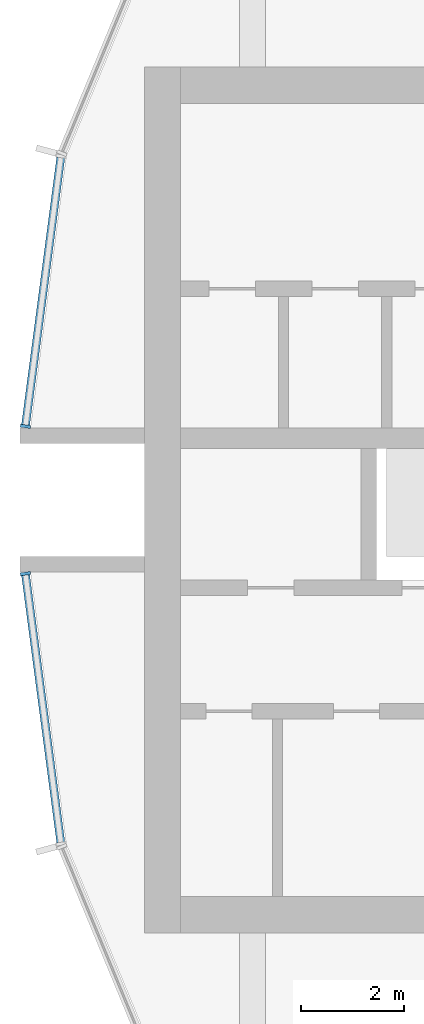
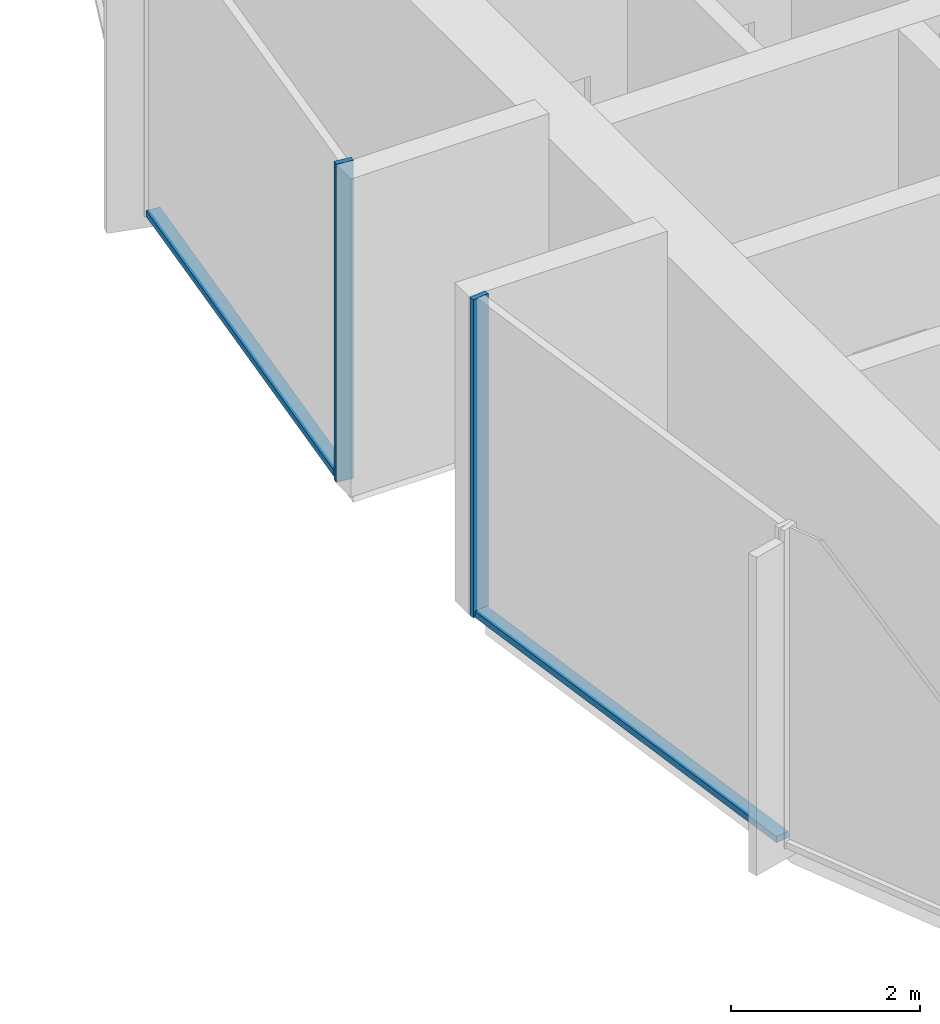
# One storey, part 3 of 15: 4 members, 2 elements without a shape of their own.
"""IFC4 building model written with IfcOpenShell, lengths in metres."""

from ifc_helpers import new_model, si_unit, direction, frame, origin, origin_2d, place, context, subcontext, project, spatial, rectangle, extrude, material, layer, layer_set, material_profile, profile_set, type_object, element, aggregate, save


model = new_model("IFC4")

# Units and contexts
model_context = context("Model", 3, precision=1e-05, world=origin(), true_north=direction((0.0, 1.0)))
body_context = subcontext(model_context, "Body", "Model", "MODEL_VIEW")
ifc_project = project(units=[si_unit("LENGTHUNIT", "METRE"), si_unit("AREAUNIT", "SQUARE_METRE"), si_unit("VOLUMEUNIT", "CUBIC_METRE"), si_unit("PLANEANGLEUNIT", "RADIAN"), si_unit("MASSUNIT", "GRAM", prefix="KILO")], contexts=[model_context])

# Site, building, storey
site_placement = place(None, origin())
site = spatial("IfcSite", under=ifc_project, at=site_placement, CompositionType="ELEMENT")
building_placement = place(site_placement, origin())
building = spatial("IfcBuilding", under=site, at=building_placement, Name="Torre Brocal", CompositionType="ELEMENT")
storey_placement = place(building_placement, frame((0.0, 0.0, 182.300048828125)))
storey = spatial("IfcBuildingStorey", under=building, at=storey_placement, Name="L42", CompositionType="ELEMENT", Elevation=182.300048828125)

# Curtain wall, member
ifc_material_1 = material(Name="Aluminium and glass", Category="aluminium")
ifc_layer = layer(ifc_material_1, 0.199951171875)
ifc_layer_set = layer_set([ifc_layer], Name="Aluminium and glass")
curtain_wall_type = type_object("IfcCurtainWallType", Name="CW-1B CURTAIN WALL 4100 HIGH", PredefinedType="NOTDEFINED", material=ifc_layer_set)
curtain_wall_1_placement = place(storey_placement, origin())
curtain_wall_1 = element("IfcCurtainWall", 1, at=curtain_wall_1_placement, inside=storey, type_object=curtain_wall_type, Name="CW-1B RUN 12", PredefinedType="NOTDEFINED")
ifc_material_2 = material(Name="Aluminium, dark anodised", Category="aluminium")
ifc_material_profile_1 = material_profile(ifc_material_2, rectangle(XDim=0.199951171875, YDim=0.06005859375, at=origin_2d()), Name="CW-1B MULLION 60X200")
ifc_profile_set_1 = profile_set([ifc_material_profile_1], Name="Aluminium, dark anodised")
member_type_1 = type_object("IfcMemberType", Name="CW-1B MULLION 60X200", PredefinedType="MULLION", material=ifc_profile_set_1)
member_1_placement = place(storey_placement, frame((54.2890625, 76.4296875, 0.0), z_axis=(0.0, 0.0, 1.0), x_axis=(0.991444861374, -0.13052619222, 0.0)))
member_1 = element("IfcMember", 2, at=member_1_placement, type_object=member_type_1, Name="CW1B-4 mullion 2", PredefinedType="MULLION", context=body_context, shape_type="SweptSolid", body=[
    extrude(rectangle(XDim=0.199951171875, YDim=0.06005859375, at=origin_2d()), origin(), (0.0, 0.0, 1.0), 4.099853515625),
])

curtain_wall_2_placement = place(storey_placement, origin())
curtain_wall_2 = element("IfcCurtainWall", 3, at=curtain_wall_2_placement, inside=storey, type_object=curtain_wall_type, Name="CW-1B RUN 13", PredefinedType="NOTDEFINED")
member_2_placement = place(storey_placement, frame((54.2890625, 73.5703125, 0.0), z_axis=(0.0, 0.0, 1.0), x_axis=(0.991444861374, 0.13052619222, 0.0)))
member_2 = element("IfcMember", 4, at=member_2_placement, type_object=member_type_1, Name="CW1B-4 mullion 1", PredefinedType="MULLION", context=body_context, shape_type="SweptSolid", body=[
    extrude(rectangle(XDim=0.199951171875, YDim=0.06005859375, at=origin_2d()), origin(), (0.0, 0.0, 1.0), 4.099853515625),
])

# Member
ifc_material_3 = material(Name="Aluminium, dark anodised", Category="aluminium")
ifc_material_profile_2 = material_profile(ifc_material_3, rectangle(XDim=0.159912109375, YDim=0.080078125, at=origin_2d()), Name="CW-1B TRANSOM 160X80")
ifc_profile_set_2 = profile_set([ifc_material_profile_2], Name="Aluminium, dark anodised")
member_type_2 = type_object("IfcMemberType", Name="CW-1B TRANSOM 160X80", PredefinedType="USERDEFINED", material=ifc_profile_set_2)
member_3_placement = place(storey_placement, frame((54.9755859375, 81.643798828125, 0.0400390625), z_axis=(-0.130542677827, -0.991442690863, 0.0), x_axis=(0.991442690863, -0.130542677827, 0.0)))
member_3 = element("IfcMember", 5, at=member_3_placement, type_object=member_type_2, Name="CW1B-4 transom 1.1", ObjectType="TRANSOM", PredefinedType="USERDEFINED", context=body_context, shape_type="SweptSolid", body=[
    extrude(rectangle(XDim=0.159912109375, YDim=0.080078125, at=origin_2d()), origin(), (0.0, 0.0, 1.0), 5.22900390625),
])

aggregate(curtain_wall_1, [member_1, member_3])

member_4_placement = place(storey_placement, frame((54.29296875, 73.54052734375, 0.0400390625), z_axis=(0.130542677827, -0.991442690863, 0.0), x_axis=(0.991442690863, 0.130542677827, 0.0)))
member_4 = element("IfcMember", 6, at=member_4_placement, type_object=member_type_2, Name="CW1B-4 transom 1.1", ObjectType="TRANSOM", PredefinedType="USERDEFINED", context=body_context, shape_type="SweptSolid", body=[
    extrude(rectangle(XDim=0.159912109375, YDim=0.080078125, at=origin_2d()), origin(), (0.0, 0.0, 1.0), 5.22900390625),
])

aggregate(curtain_wall_2, [member_2, member_4])

save(model, "model.ifc")
